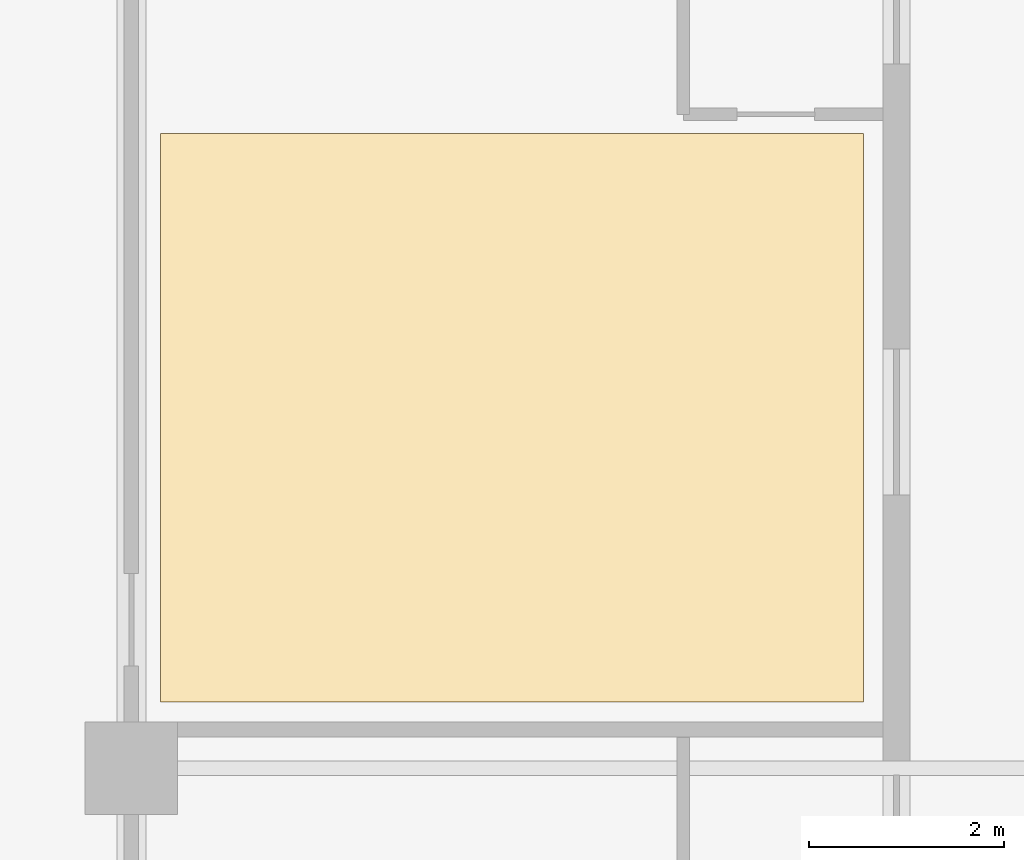
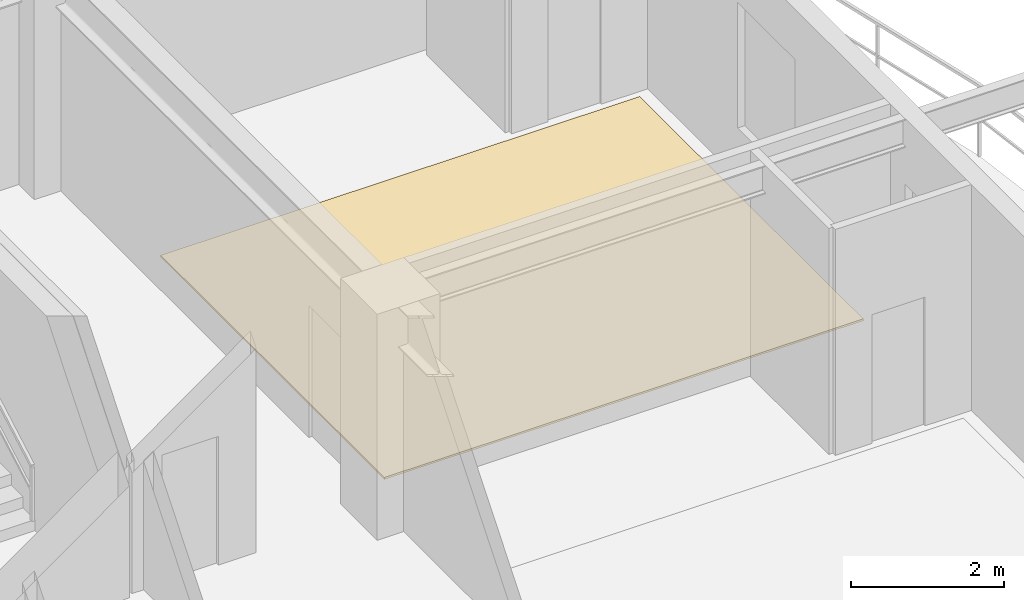
# One storey, part 11 of 12: 1 covering.
"""IFC4 building model written with IfcOpenShell, lengths in metres."""

from ifc_helpers import new_model, si_unit, direction, frame, origin, place, context, subcontext, project, spatial, polyline, outline, extrude, material, layer, layer_set, type_object, element, save


model = new_model("IFC4")

# Units and contexts
model_context = context("Model", 3, precision=1e-05, world=origin(), true_north=direction((0.0, 1.0)))
body_context = subcontext(model_context, "Body", "Model", "MODEL_VIEW")
ifc_project = project(units=[si_unit("LENGTHUNIT", "METRE"), si_unit("AREAUNIT", "SQUARE_METRE"), si_unit("VOLUMEUNIT", "CUBIC_METRE"), si_unit("PLANEANGLEUNIT", "RADIAN"), si_unit("MASSUNIT", "GRAM", prefix="KILO")], contexts=[model_context])

# Site, building, storey
site_placement = place(None, origin())
site = spatial("IfcSite", under=ifc_project, at=site_placement, CompositionType="ELEMENT")
building_placement = place(site_placement, origin())
building = spatial("IfcBuilding", under=site, at=building_placement, Name="Kundavana Baori Tower", CompositionType="ELEMENT")
storey_placement = place(building_placement, frame((0.0, 0.0, 196.39990234375)))
storey = spatial("IfcBuildingStorey", under=building, at=storey_placement, Name="L48", CompositionType="ELEMENT", Elevation=196.39990234375)

# Covering
ifc_material = material(Name="Honed Kota Stone and Terrazzo Flooring", Category="masonry")
ifc_layer = layer(ifc_material, 0.030029296875, Name="COV-INT-FLR")
ifc_layer_set = layer_set([ifc_layer], Name="Honed Kota Stone and Terrazzo Flooring")
covering_type = type_object("IfcCoveringType", Name="COV-INT-FLR", PredefinedType="FLOORING", material=ifc_layer_set)
covering_placement = place(storey_placement, origin())
element("IfcCovering", 1, at=covering_placement, inside=storey, type_object=covering_type, Name="L48 Room Finished Stone Flooring 6", PredefinedType="FLOORING", context=body_context, shape_type="SweptSolid", body=[
    extrude(outline(polyline([(43.10009765625, 33.679931640625), (50.320068359375, 33.679931640625), (50.320068359375, 39.52001953125), (43.10009765625, 39.52001953125), (43.10009765625, 33.679931640625)])), origin(), (0.0, 0.0, 1.0), 0.030029296875),
])

save(model, "model.ifc")
